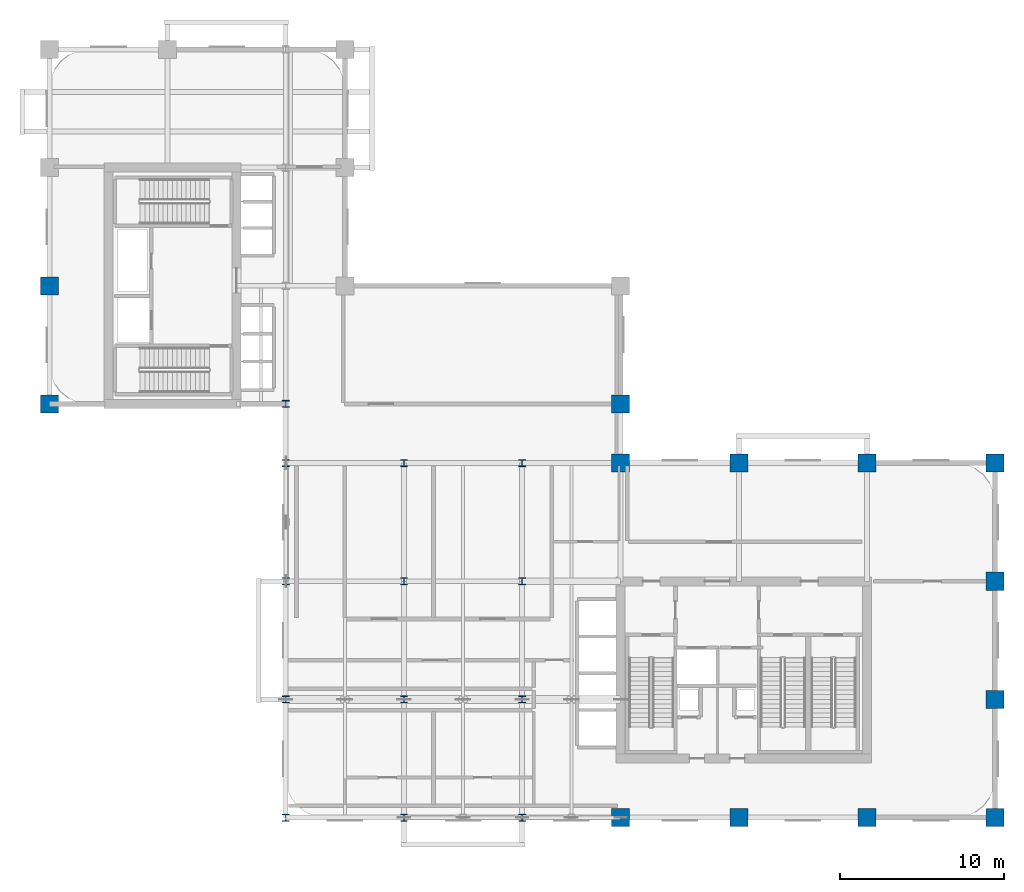
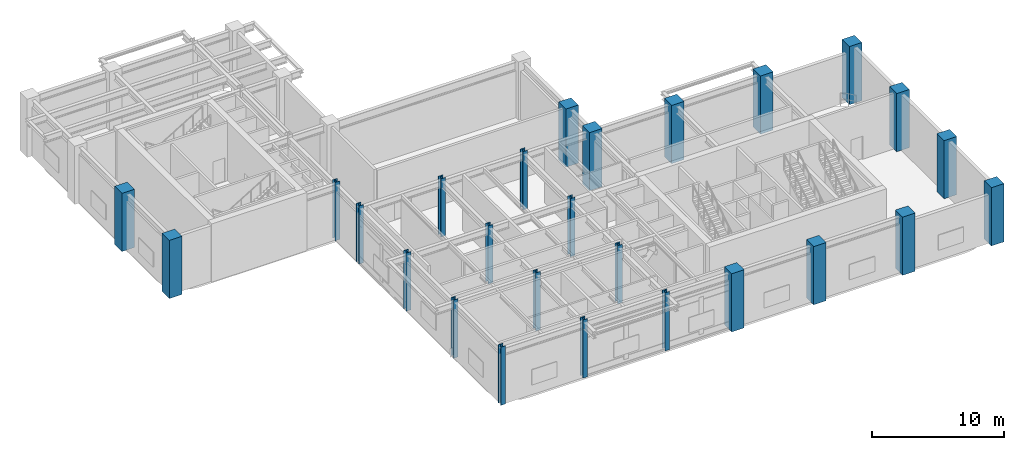
# One storey, part 1 of 12: 26 columns.
"""IFC4 building model written with IfcOpenShell, lengths in metres."""

from ifc_helpers import new_model, si_unit, derived_unit, direction, frame, origin, origin_2d, place, context, subcontext, project, spatial, rectangle, i_section, extrude, source, transform, mapped, material, material_profile, profile_set, type_object, element, save


model = new_model("IFC4")

# Units and contexts
model_context = context("Model", 3, precision=1e-05, world=origin(), true_north=direction((0.0, 1.0)))
body_context = subcontext(model_context, "Body", "Model", "MODEL_VIEW")
ifc_project = project(units=[si_unit("LENGTHUNIT", "METRE"), si_unit("AREAUNIT", "SQUARE_METRE"), si_unit("VOLUMEUNIT", "CUBIC_METRE"), si_unit("PLANEANGLEUNIT", "RADIAN"), si_unit("MASSUNIT", "GRAM", prefix="KILO"), si_unit("THERMODYNAMICTEMPERATUREUNIT", "KELVIN"), si_unit("POWERUNIT", "WATT"), derived_unit("THERMALTRANSMITTANCEUNIT", [(si_unit("POWERUNIT", "WATT"), 1), (si_unit("AREAUNIT", "SQUARE_METRE"), -1), (si_unit("THERMODYNAMICTEMPERATUREUNIT", "KELVIN"), -1)])], contexts=[model_context])

# Site, building, storey
site_placement = place(None, origin())
site = spatial("IfcSite", under=ifc_project, at=site_placement, CompositionType="ELEMENT")
building_placement = place(site_placement, origin())
building = spatial("IfcBuilding", under=site, at=building_placement, Name="Zahravan Archway Hotel and Residences", CompositionType="ELEMENT")
storey_placement = place(building_placement, frame((0.0, 0.0, 106.39990234375)))
storey = spatial("IfcBuildingStorey", under=building, at=storey_placement, Name="L26", CompositionType="ELEMENT", Elevation=106.39990234375)

# Columns
ifc_material_1 = material(Name="Concrete C70/85", Category="concrete")
ifc_material_profile_1 = material_profile(ifc_material_1, rectangle(XDim=1.10009765625, YDim=1.10009765625, at=origin_2d()), Name="RC 1100x1100", Category="concrete")
ifc_profile_set_1 = profile_set([ifc_material_profile_1], Name="Concrete C70/85")
column_type_1 = type_object("IfcColumnType", Name="COL-RC-1100", PredefinedType="COLUMN", material=ifc_profile_set_1)
shared_shape_1 = source(origin(), body_context, "Body", "SweptSolid", [
    extrude(rectangle(XDim=1.10009765625, YDim=1.10009765625, at=origin_2d()), origin(), (0.0, 0.0, 1.0), 5.400146484375),
])
for number, where, z_axis, x_axis, name in (
    (1, (0.0, 25.199951171875, 0.0), (0.0, 0.0, 1.0), (1.0, 0.0, 0.0), "L26 Column 1-E"),
    (2, (0.0, 32.39990234375, 0.0), (0.0, 0.0, 1.0), (1.0, 0.0, 0.0), "L26 Column 1-F"),
    (3, (34.800048828125, 0.0, 0.0), (0.0, 0.0, 1.0), (1.0, 0.0, 0.0), "L26 Column 6-A"),
    (4, (34.800048828125, 21.60009765625, 0.0), (0.0, 0.0, 1.0), (1.0, 0.0, 0.0), "L26 Column 6-D"),
    (5, (34.800048828125, 25.199951171875, 0.0), (0.0, 0.0, 1.0), (1.0, 0.0, 0.0), "L26 Column 6-E"),
    (6, (42.0, 0.0, 0.0), (0.0, 0.0, 1.0), (1.0, 0.0, 0.0), "L26 Column 7-A"),
    (7, (42.0, 21.60009765625, 0.0), (0.0, 0.0, 1.0), (1.0, 0.0, 0.0), "L26 Column 7-D"),
    (8, (49.800048828125, 0.0, 0.0), (0.0, 0.0, 1.0), (1.0, 0.0, 0.0), "L26 Column 8-A"),
    (9, (49.800048828125, 21.60009765625, 0.0), (0.0, 0.0, 1.0), (1.0, 0.0, 0.0), "L26 Column 8-D"),
    (10, (57.60009765625, 0.0, 0.0), (0.0, 0.0, 1.0), (1.0, 0.0, 0.0), "L26 Column 9-A"),
    (11, (57.60009765625, 7.199951171875, 0.0), (0.0, 0.0, 1.0), (1.0, 0.0, 0.0), "L26 Column 9-B"),
    (12, (57.60009765625, 14.39990234375, 0.0), (0.0, 0.0, 1.0), (1.0, 0.0, 0.0), "L26 Column 9-C"),
    (13, (57.60009765625, 21.60009765625, 0.0), (0.0, 0.0, 1.0), (1.0, 0.0, 0.0), "L26 Column 9-D"),
):
    element("IfcColumn", number, at=place(storey_placement, frame(where, z_axis=z_axis, x_axis=x_axis)), inside=storey, type_object=column_type_1, Name=name, PredefinedType="COLUMN", context=body_context, shape_type="MappedRepresentation", body=[
        mapped(shared_shape_1, transform((0.0, 0.0, 0.0), scale=1.0)),
    ])
ifc_material_2 = material(Name="Structural Steel S460M", Category="steel")
ifc_material_profile_2 = material_profile(ifc_material_2, i_section(OverallWidth=0.408935546875, OverallDepth=0.425048828125, WebThickness=0.0244140625, FlangeThickness=0.0390625, FilletRadius=0.014892578125, at=origin_2d()), Name="HD 400x421", Category="steel")
ifc_profile_set_2 = profile_set([ifc_material_profile_2], Name="Structural Steel S460M")
column_type_2 = type_object("IfcColumnType", Name="COL-STL-HD400", PredefinedType="COLUMN", material=ifc_profile_set_2)
shared_shape_2 = source(origin(), body_context, "Body", "SweptSolid", [
    extrude(i_section(OverallWidth=0.408935546875, OverallDepth=0.425048828125, WebThickness=0.0244140625, FlangeThickness=0.0390625, FilletRadius=0.014892578125, at=origin_2d()), origin(), (0.0, 0.0, 1.0), 5.400146484375),
])
for number, where, z_axis, x_axis, name in (
    (14, (14.39990234375, 0.0, 0.0), (0.0, 0.0, 1.0), (1.0, 0.0, 0.0), "L26 Column 3-A"),
    (15, (14.39990234375, 7.199951171875, 0.0), (0.0, 0.0, 1.0), (1.0, 0.0, 0.0), "L26 Column 3-B"),
    (16, (14.39990234375, 14.39990234375, 0.0), (0.0, 0.0, 1.0), (1.0, 0.0, 0.0), "L26 Column 3-C"),
    (17, (14.39990234375, 21.60009765625, 0.0), (0.0, 0.0, 1.0), (1.0, 0.0, 0.0), "L26 Column 3-D"),
    (18, (14.39990234375, 25.199951171875, 0.0), (0.0, 0.0, 1.0), (1.0, 0.0, 0.0), "L26 Column 3-E"),
    (19, (21.60009765625, 0.0, 0.0), (0.0, 0.0, 1.0), (1.0, 0.0, 0.0), "L26 Column 4-A"),
    (20, (21.60009765625, 7.199951171875, 0.0), (0.0, 0.0, 1.0), (1.0, 0.0, 0.0), "L26 Column 4-B"),
    (21, (21.60009765625, 14.39990234375, 0.0), (0.0, 0.0, 1.0), (1.0, 0.0, 0.0), "L26 Column 4-C"),
    (22, (21.60009765625, 21.60009765625, 0.0), (0.0, 0.0, 1.0), (1.0, 0.0, 0.0), "L26 Column 4-D"),
    (23, (28.800048828125, 0.0, 0.0), (0.0, 0.0, 1.0), (1.0, 0.0, 0.0), "L26 Column 5-A"),
    (24, (28.800048828125, 7.199951171875, 0.0), (0.0, 0.0, 1.0), (1.0, 0.0, 0.0), "L26 Column 5-B"),
    (25, (28.800048828125, 14.39990234375, 0.0), (0.0, 0.0, 1.0), (1.0, 0.0, 0.0), "L26 Column 5-C"),
    (26, (28.800048828125, 21.60009765625, 0.0), (0.0, 0.0, 1.0), (1.0, 0.0, 0.0), "L26 Column 5-D"),
):
    element("IfcColumn", number, at=place(storey_placement, frame(where, z_axis=z_axis, x_axis=x_axis)), inside=storey, type_object=column_type_2, Name=name, PredefinedType="COLUMN", context=body_context, shape_type="MappedRepresentation", body=[
        mapped(shared_shape_2, transform((0.0, 0.0, 0.0), scale=1.0)),
    ])

save(model, "model.ifc")
